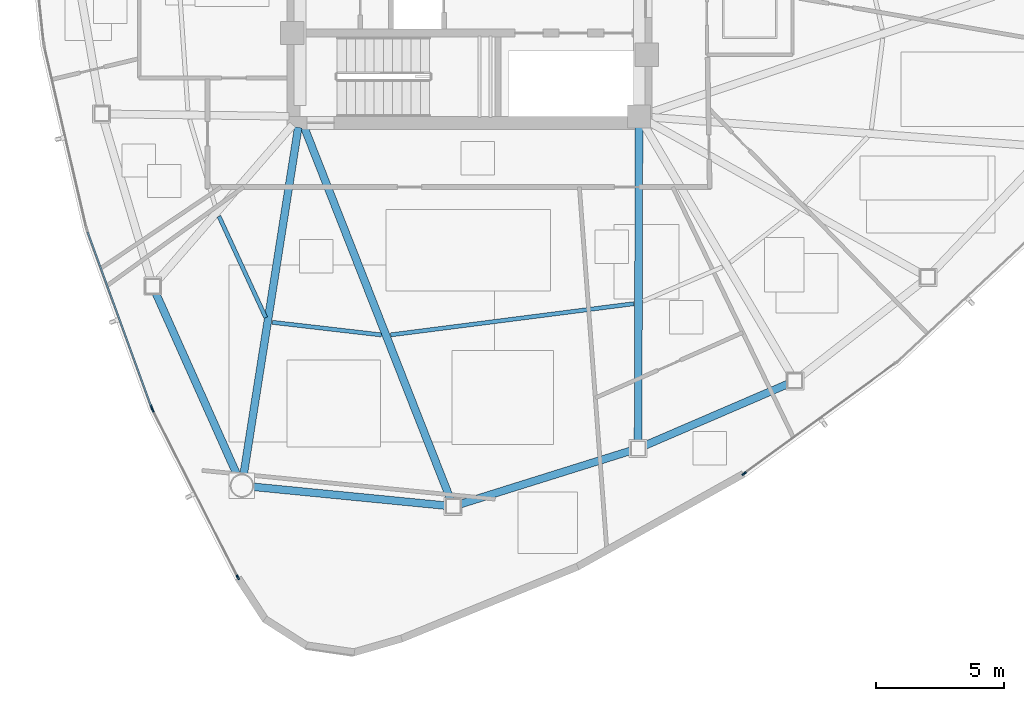
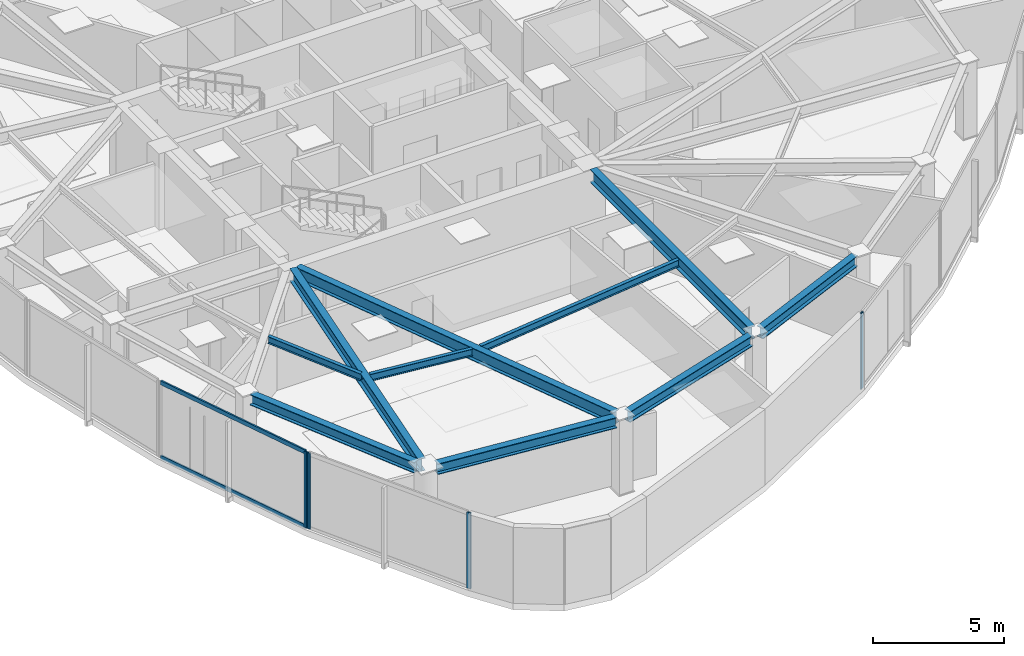
# One storey, part 2 of 17: 10 beams, 6 members, 3 elements without a shape of their own.
"""IFC4 building model written with IfcOpenShell, lengths in metres."""

from ifc_helpers import new_model, si_unit, direction, frame, origin, origin_2d, place, context, subcontext, project, spatial, hollow_rectangle, i_section, extrude, source, transform, mapped, material, layer, layer_set, material_profile, profile_set, type_object, type_shapes, element, aggregate, save


model = new_model("IFC4")

# Units and contexts
model_context = context("Model", 3, precision=1e-05, world=origin(), true_north=direction((0.0, 1.0)))
body_context = subcontext(model_context, "Body", "Model", "MODEL_VIEW")
ifc_project = project(units=[si_unit("LENGTHUNIT", "METRE"), si_unit("AREAUNIT", "SQUARE_METRE"), si_unit("VOLUMEUNIT", "CUBIC_METRE"), si_unit("PLANEANGLEUNIT", "RADIAN"), si_unit("MASSUNIT", "GRAM", prefix="KILO")], contexts=[model_context])

# Site, building, storey
site_placement = place(None, origin())
site = spatial("IfcSite", under=ifc_project, at=site_placement, CompositionType="ELEMENT")
building_placement = place(site_placement, origin())
building = spatial("IfcBuilding", under=site, at=building_placement, Name="Tavelor Broadcast Tower", CompositionType="ELEMENT")
storey_placement = place(building_placement, frame((0.0, 0.0, 200.300048828125)))
storey = spatial("IfcBuildingStorey", under=building, at=storey_placement, Name="L48", CompositionType="ELEMENT", Elevation=200.300048828125)

# Beams
ifc_material_1 = material(Name="Steel S355", Category="steel")
ifc_material_profile_1 = material_profile(ifc_material_1, i_section(OverallWidth=0.159912109375, OverallDepth=0.330078125, WebThickness=0.007568359375, FlangeThickness=0.011474609375, at=origin_2d()), Name="IPE 330")
ifc_profile_set_1 = profile_set([ifc_material_profile_1], Name="Steel S355")
beam_type_1 = type_object("IfcBeamType", Name="Composite Floor Joist T4 IPE 330", PredefinedType="JOIST", material=ifc_profile_set_1)
beam_1_placement = place(storey_placement, frame((40.2470703125, 34.91259765625, 3.385009765625), z_axis=(0.418865688231, -0.908048200936, 0.0), x_axis=(0.908048200936, 0.418865688231, 0.0)))
element("IfcBeam", 1, at=beam_1_placement, inside=storey, type_object=beam_type_1, Name="L48 Secondary Composite Floor Joist 06", PredefinedType="JOIST", context=body_context, shape_type="SweptSolid", body=[
    extrude(i_section(OverallWidth=0.159912109375, OverallDepth=0.330078125, WebThickness=0.007568359375, FlangeThickness=0.011474609375, at=origin_2d()), origin(), (0.0, 0.0, 1.0), 4.343505859375),
])
beam_2_placement = place(storey_placement, frame((42.322021484375, 30.783447265625, 3.385009765625), z_axis=(0.99339343168, -0.114758397927, 0.0), x_axis=(0.114758397927, 0.99339343168, 0.0)))
element("IfcBeam", 2, at=beam_2_placement, inside=storey, type_object=beam_type_1, Name="L48 Secondary Composite Floor Joist 07", PredefinedType="JOIST", context=body_context, shape_type="SweptSolid", body=[
    extrude(i_section(OverallWidth=0.159912109375, OverallDepth=0.330078125, WebThickness=0.007568359375, FlangeThickness=0.011474609375, at=origin_2d()), origin(), (0.0, 0.0, 1.0), 4.2783203125),
])
beam_3_placement = place(storey_placement, frame((46.931396484375, 30.294921875, 3.385009765625), z_axis=(0.991879761862, 0.127179157129, 0.0), x_axis=(-0.127179157129, 0.991879761862, 0.0)))
element("IfcBeam", 3, at=beam_3_placement, inside=storey, type_object=beam_type_1, Name="L48 Secondary Composite Floor Joist 08", PredefinedType="JOIST", context=body_context, shape_type="SweptSolid", body=[
    extrude(i_section(OverallWidth=0.159912109375, OverallDepth=0.330078125, WebThickness=0.007568359375, FlangeThickness=0.011474609375, at=origin_2d()), origin(), (0.0, 0.0, 1.0), 9.54443359375),
])
ifc_material_profile_2 = material_profile(ifc_material_1, i_section(OverallWidth=0.300048828125, OverallDepth=0.5, WebThickness=0.014404296875, FlangeThickness=0.028076171875, at=origin_2d()), Name="HEB 500")
ifc_profile_set_2 = profile_set([ifc_material_profile_2], Name="Steel S355")
beam_type_2 = type_object("IfcBeamType", Name="Perimeter Spandrel Beam T4 HEB 500", PredefinedType="SPANDREL", material=ifc_profile_set_2)
beam_4_placement = place(storey_placement, frame((37.78564453125, 31.927490234375, 3.300048828125), z_axis=(0.407969002466, -0.912995779304, 0.0), x_axis=(0.912995779304, 0.407969002466, 0.0)))
element("IfcBeam", 4, at=beam_4_placement, inside=storey, type_object=beam_type_2, Name="L48 Framed-Tube Ring Spandrel 06", PredefinedType="SPANDREL", context=body_context, shape_type="SweptSolid", body=[
    extrude(i_section(OverallWidth=0.300048828125, OverallDepth=0.5, WebThickness=0.014404296875, FlangeThickness=0.028076171875, at=origin_2d()), origin(), (0.0, 0.0, 1.0), 7.7802734375),
])
beam_5_placement = place(storey_placement, frame((41.5751953125, 24.381103515625, 3.300048828125), z_axis=(0.995249339376, -0.097358884918, 0.0), x_axis=(0.097358884918, 0.995249339376, 0.0)))
element("IfcBeam", 5, at=beam_5_placement, inside=storey, type_object=beam_type_2, Name="L48 Framed-Tube Ring Spandrel 07", PredefinedType="SPANDREL", context=body_context, shape_type="SweptSolid", body=[
    extrude(i_section(OverallWidth=0.300048828125, OverallDepth=0.5, WebThickness=0.014404296875, FlangeThickness=0.028076171875, at=origin_2d()), origin(), (0.0, 0.0, 1.0), 7.54052734375),
])
beam_6_placement = place(storey_placement, frame((49.641357421875, 23.705078125, 3.300048828125), z_axis=(0.954273247332, 0.298935727918, 0.0), x_axis=(-0.298935727918, 0.954273247332, 0.0)))
element("IfcBeam", 6, at=beam_6_placement, inside=storey, type_object=beam_type_2, Name="L48 Framed-Tube Ring Spandrel 08", PredefinedType="SPANDREL", context=body_context, shape_type="SweptSolid", body=[
    extrude(i_section(OverallWidth=0.300048828125, OverallDepth=0.5, WebThickness=0.014404296875, FlangeThickness=0.028076171875, at=origin_2d()), origin(), (0.0, 0.0, 1.0), 6.963134765625),
])
beam_7_placement = place(storey_placement, frame((56.825439453125, 25.98681640625, 3.300048828125), z_axis=(0.91846180915, 0.395509677672, 0.0), x_axis=(-0.395509677672, 0.91846180915, 0.0)))
element("IfcBeam", 7, at=beam_7_placement, inside=storey, type_object=beam_type_2, Name="L48 Framed-Tube Ring Spandrel 09", PredefinedType="SPANDREL", context=body_context, shape_type="SweptSolid", body=[
    extrude(i_section(OverallWidth=0.300048828125, OverallDepth=0.5, WebThickness=0.014404296875, FlangeThickness=0.028076171875, at=origin_2d()), origin(), (0.0, 0.0, 1.0), 6.07470703125),
])
ifc_material_profile_3 = material_profile(ifc_material_1, i_section(OverallWidth=0.300048828125, OverallDepth=0.590087890625, WebThickness=0.012939453125, FlangeThickness=0.02490234375, at=origin_2d()), Name="HEA 600")
ifc_profile_set_3 = profile_set([ifc_material_profile_3], Name="Steel S355")
beam_type_3 = type_object("IfcBeamType", Name="Radial Floor Girder T4 HEA 600", PredefinedType="BEAM", material=ifc_profile_set_3)
beam_8_placement = place(storey_placement, frame((43.3330078125, 38.373291015625, 3.2548828125), z_axis=(-0.15539903111, -0.987851780952, 0.0), x_axis=(0.987851780952, -0.15539903111, 0.0)))
element("IfcBeam", 8, at=beam_8_placement, inside=storey, type_object=beam_type_3, Name="L48 Radial Primary Floor Girder 07", PredefinedType="BEAM", context=body_context, shape_type="SweptSolid", body=[
    extrude(i_section(OverallWidth=0.300048828125, OverallDepth=0.590087890625, WebThickness=0.012939453125, FlangeThickness=0.02490234375, at=origin_2d()), origin(), (0.0, 0.0, 1.0), 13.682373046875),
])
beam_9_placement = place(storey_placement, frame((43.55810546875, 38.39794921875, 3.2548828125), z_axis=(0.365784627572, -0.930699525213, 0.0), x_axis=(0.930699525213, 0.365784627572, 0.0)))
element("IfcBeam", 9, at=beam_9_placement, inside=storey, type_object=beam_type_3, Name="L48 Radial Primary Floor Girder 08", PredefinedType="BEAM", context=body_context, shape_type="SweptSolid", body=[
    extrude(i_section(OverallWidth=0.300048828125, OverallDepth=0.590087890625, WebThickness=0.012939453125, FlangeThickness=0.02490234375, at=origin_2d()), origin(), (0.0, 0.0, 1.0), 15.591552734375),
])
beam_10_placement = place(storey_placement, frame((56.5986328125, 38.367919921875, 3.2548828125), z_axis=(-0.0029999865, -0.99999550003, 0.0), x_axis=(0.99999550003, -0.0029999865, 0.0)))
element("IfcBeam", 10, at=beam_10_placement, inside=storey, type_object=beam_type_3, Name="L48 Radial Primary Floor Girder 09", PredefinedType="BEAM", context=body_context, shape_type="SweptSolid", body=[
    extrude(i_section(OverallWidth=0.300048828125, OverallDepth=0.590087890625, WebThickness=0.012939453125, FlangeThickness=0.02490234375, at=origin_2d()), origin(), (0.0, 0.0, 1.0), 12.20703125),
])

# Curtain wall, member
ifc_material_2 = material(Name="Architectural Anodized Aluminium", Category="aluminium")
ifc_layer = layer(ifc_material_2, 0.18994140625)
ifc_layer_set = layer_set([ifc_layer], Name="Architectural Anodized Aluminium")
curtain_wall_type = type_object("IfcCurtainWallType", Name="Tower Mid-Zone Acoustic Curtain Wall CW03", PredefinedType="NOTDEFINED", material=ifc_layer_set)
curtain_wall_1_placement = place(storey_placement, origin())
curtain_wall_1 = element("IfcCurtainWall", 11, at=curtain_wall_1_placement, inside=storey, type_object=curtain_wall_type, Name="L48 Curtain Wall CW03 Run 519", PredefinedType="NOTDEFINED")
ifc_material_profile_4 = material_profile(ifc_material_2, hollow_rectangle(XDim=0.068115234375, YDim=0.18994140625, WallThickness=0.02197265625, at=origin_2d()), Name="RHS 68x190x22")
ifc_profile_set_4 = profile_set([ifc_material_profile_4], Name="Architectural Anodized Aluminium")
member_type_1 = type_object("IfcMemberType", Name="CW03 Extruded Aluminium Mullion 68x190", PredefinedType="MULLION", material=ifc_profile_set_4)
shared_shape_1 = source(origin(), body_context, "Body", "SweptSolid", [
    extrude(hollow_rectangle(XDim=0.068115234375, YDim=0.18994140625, WallThickness=0.02197265625, at=origin_2d()), origin(), (0.0, 0.0, 1.0), 3.550048828125),
])
type_shapes(member_type_1, [shared_shape_1])
member_1_placement = place(storey_placement, frame((37.623046875, 27.46875, 0.0), z_axis=(0.0, 0.0, 1.0), x_axis=(0.93954090689, 0.342436686529, 0.0)))
member_1 = element("IfcMember", 12, at=member_1_placement, type_object=member_type_1, Name="CW03 mullion 2", PredefinedType="MULLION", context=body_context, shape_type="MappedRepresentation", body=[
    mapped(shared_shape_1, transform((0.0, 0.0, 0.0), scale=1.0)),
])

# Curtain wall, members
curtain_wall_2_placement = place(storey_placement, origin())
curtain_wall_2 = element("IfcCurtainWall", 13, at=curtain_wall_2_placement, inside=storey, type_object=curtain_wall_type, Name="L48 Curtain Wall CW03 Run 520", PredefinedType="NOTDEFINED")
member_2_placement = place(storey_placement, frame((37.662109375, 27.37890625, 0.0), z_axis=(0.0, 0.0, 1.0), x_axis=(0.891193855769, 0.453622653137, 0.0)))
member_2 = element("IfcMember", 14, at=member_2_placement, type_object=member_type_1, Name="CW03 mullion 1", PredefinedType="MULLION", context=body_context, shape_type="MappedRepresentation", body=[
    mapped(shared_shape_1, transform((0.0, 0.0, 0.0), scale=1.0)),
])
member_3_placement = place(storey_placement, frame((40.98291015625, 20.854736328125, 0.0), z_axis=(0.0, 0.0, 1.0), x_axis=(0.891193855769, 0.453622653137, 0.0)))
member_3 = element("IfcMember", 15, at=member_3_placement, type_object=member_type_1, Name="CW03 mullion 2", PredefinedType="MULLION", context=body_context, shape_type="MappedRepresentation", body=[
    mapped(shared_shape_1, transform((0.0, 0.0, 0.0), scale=1.0)),
])
aggregate(curtain_wall_2, [member_2, member_3])

# Curtain wall, member
curtain_wall_3_placement = place(storey_placement, origin())
curtain_wall_3 = element("IfcCurtainWall", 16, at=curtain_wall_3_placement, inside=storey, type_object=curtain_wall_type, Name="L48 Curtain Wall CW03 Run 521", PredefinedType="NOTDEFINED")
member_4_placement = place(storey_placement, frame((60.687255859375, 24.89404296875, 0.0), z_axis=(0.0, 0.0, 1.0), x_axis=(-0.589531851152, 0.80774513089, 0.0)))
member_4 = element("IfcMember", 17, at=member_4_placement, type_object=member_type_1, Name="CW03 mullion 1", PredefinedType="MULLION", context=body_context, shape_type="MappedRepresentation", body=[
    mapped(shared_shape_1, transform((0.0, 0.0, 0.0), scale=1.0)),
])
aggregate(curtain_wall_3, [member_4])

# Member
ifc_material_profile_5 = material_profile(ifc_material_2, hollow_rectangle(XDim=0.068115234375, YDim=0.18994140625, WallThickness=0.02197265625, at=origin_2d()), Name="RHS 68x190x22")
ifc_profile_set_5 = profile_set([ifc_material_profile_5], Name="Architectural Anodized Aluminium")
member_type_2 = type_object("IfcMemberType", Name="CW03 Extruded Aluminium Transom 68x190", PredefinedType="USERDEFINED", material=ifc_profile_set_5)
shared_shape_2 = source(origin(), body_context, "Body", "SweptSolid", [
    extrude(hollow_rectangle(XDim=0.068115234375, YDim=0.18994140625, WallThickness=0.02197265625, at=origin_2d()), origin(), (0.0, 0.0, 1.0), 7.23681640625),
])
type_shapes(member_type_2, [shared_shape_2])
member_5_placement = place(storey_placement, frame((35.13330078125, 34.2998046875, 0.033935546875), z_axis=(0.342420156368, -0.939546931512, 0.0), x_axis=(0.939546931512, 0.342420156368, 0.0)))
member_5 = element("IfcMember", 18, at=member_5_placement, type_object=member_type_2, Name="CW03 transom 1.1", ObjectType="TRANSOM", PredefinedType="USERDEFINED", context=body_context, shape_type="MappedRepresentation", body=[
    mapped(shared_shape_2, transform((0.0, 0.0, 0.0), scale=1.0)),
])

member_6_placement = place(storey_placement, frame((35.13330078125, 34.2998046875, 3.515869140625), z_axis=(0.342420156368, -0.939546931512, 0.0), x_axis=(0.939546931512, 0.342420156368, 0.0)))
member_6 = element("IfcMember", 19, at=member_6_placement, type_object=member_type_2, Name="CW03 transom 1.2", ObjectType="TRANSOM", PredefinedType="USERDEFINED", context=body_context, shape_type="MappedRepresentation", body=[
    mapped(shared_shape_2, transform((0.0, 0.0, 0.0), scale=1.0)),
])

aggregate(curtain_wall_1, [member_1, member_5, member_6])

save(model, "model.ifc")
